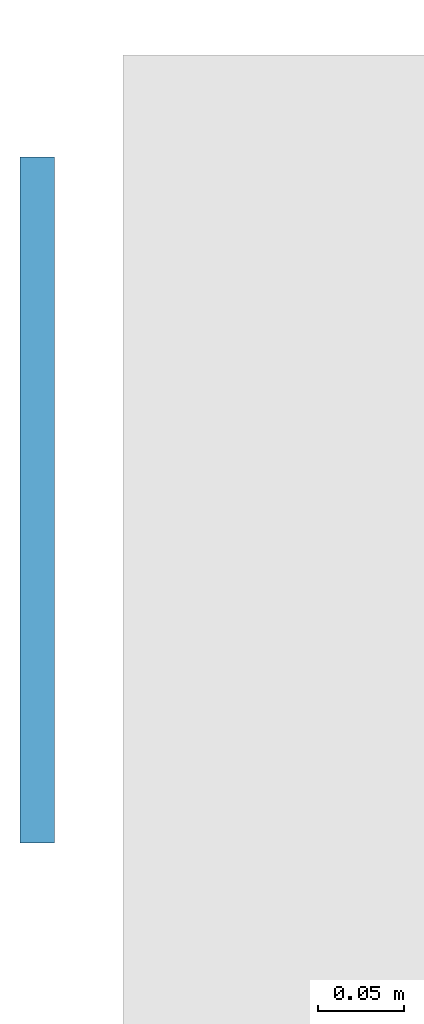
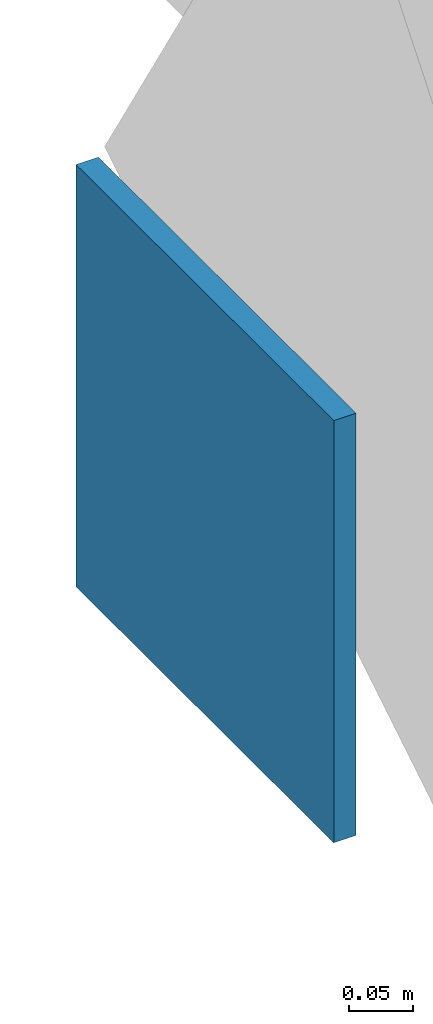
# One storey, part 8 of 15: 1 discrete accessory.
"""IFC4 building model written with IfcOpenShell, lengths in metres."""

from ifc_helpers import new_model, si_unit, direction, frame, origin, origin_2d, place, context, subcontext, project, spatial, rectangle, extrude, material, material_profile, profile_set, type_object, element, save


model = new_model("IFC4")

# Units and contexts
model_context = context("Model", 3, precision=1e-05, world=origin(), true_north=direction((0.0, 1.0)))
body_context = subcontext(model_context, "Body", "Model", "MODEL_VIEW")
ifc_project = project(units=[si_unit("LENGTHUNIT", "METRE"), si_unit("AREAUNIT", "SQUARE_METRE"), si_unit("VOLUMEUNIT", "CUBIC_METRE"), si_unit("PLANEANGLEUNIT", "RADIAN"), si_unit("MASSUNIT", "GRAM", prefix="KILO")], contexts=[model_context])

# Site, building, storey
site_placement = place(None, origin())
site = spatial("IfcSite", under=ifc_project, at=site_placement, CompositionType="ELEMENT")
building_placement = place(site_placement, origin())
building = spatial("IfcBuilding", under=site, at=building_placement, Name="Cypress Arch Tower", CompositionType="ELEMENT")
storey_placement = place(building_placement, frame((0.0, 0.0, 313.10009765625)))
storey = spatial("IfcBuildingStorey", under=building, at=storey_placement, Name="L71", CompositionType="ELEMENT", Elevation=313.10009765625)

# Discrete accessory
ifc_material = material(Name="Steel ASTM A992", Category="steel")
ifc_material_profile = material_profile(ifc_material, rectangle(XDim=0.39990234375, YDim=0.39990234375, at=origin_2d()), Name="PL 20 400x400")
ifc_profile_set = profile_set([ifc_material_profile], Name="Steel ASTM A992")
discrete_accessory_type = type_object("IfcDiscreteAccessoryType", Name="West bracing diagonal end plate 400x400x20 Steel ASTM A992", PredefinedType="ANCHORPLATE", material=ifc_profile_set)
discrete_accessory_placement = place(storey_placement, frame((-31.099609375, -0.259033203125, 0.91748046875), z_axis=(-1.0, 0.0, 0.0), x_axis=(0.0, -1.0, 0.0)))
element("IfcDiscreteAccessory", 1, at=discrete_accessory_placement, inside=storey, type_object=discrete_accessory_type, Name="End plate west bracing diagonal 6B", PredefinedType="ANCHORPLATE", context=body_context, shape_type="SweptSolid", body=[
    extrude(rectangle(XDim=0.39990234375, YDim=0.39990234375, at=origin_2d()), origin(), (0.0, 0.0, 1.0), 0.02001953125),
])

save(model, "model.ifc")
